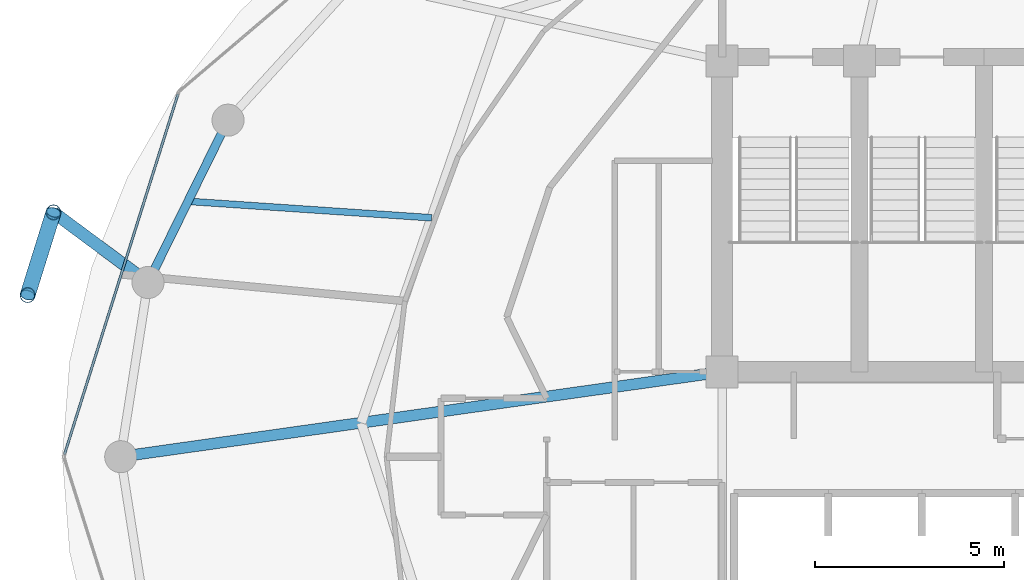
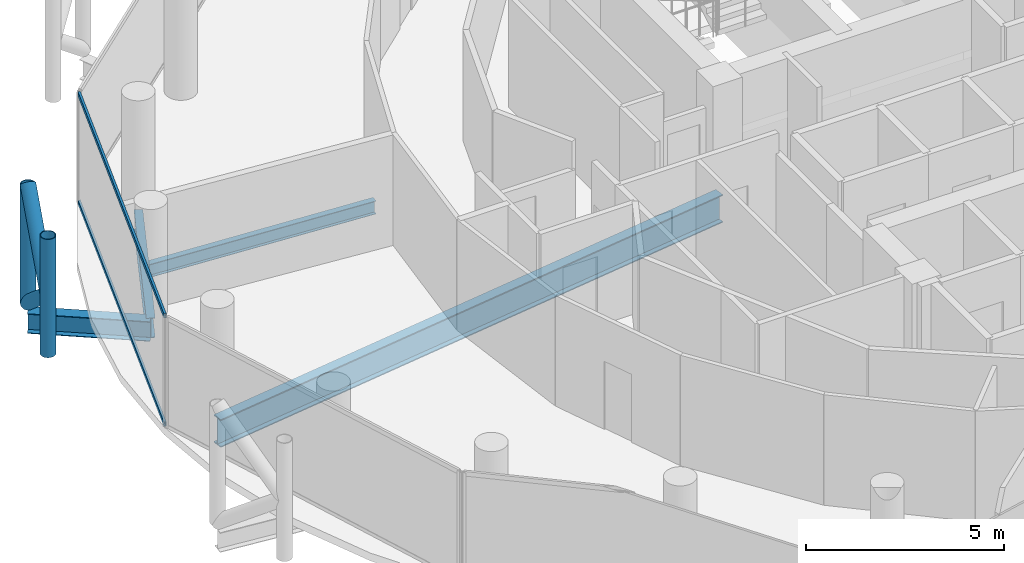
# One storey, part 8 of 27: 6 members, 4 beams, 1 element without a shape of its own.
"""IFC4 building model written with IfcOpenShell, lengths in metres."""

import ifcopenshell
import ifcopenshell.guid

model = None  # the IFC model being written
_history = None  # IfcOwnerHistory: only IFC2X3 demands one
_inside = {}  # id of a spatial element -> (the spatial element, [elements in it])
_under = {}  # id of a project, library or spatial element -> (it, [spatial elements below it])
_declared = {}  # id of a project -> (the project, [libraries it declares])
_typed = {}  # id of a type object -> (the type object, [elements of that type])
_made_of = {}  # id of a material, layer set ... -> (it, [elements and type objects made of it])


def new_model(schema):
    """Start an empty IFC model of exactly this schema.

    Asked for "IFC4X3", IfcOpenShell would pick the latest addendum, in which some entities
    have other attributes; the version numbers below select the first issue.
    IFC2X3 requires an IfcOwnerHistory on every rooted entity: one is made here for all.
    """
    global model, _history
    if schema == "IFC4X3":
        model = ifcopenshell.file(schema_version=(4, 3, 0, 0))
    else:
        model = ifcopenshell.file(schema=schema)
    _inside.clear()
    _under.clear()
    _declared.clear()
    _typed.clear()
    _made_of.clear()
    _history = None
    if model.schema == "IFC2X3":
        org = make("IfcOrganization", Name="unknown")
        user = make(
            "IfcPersonAndOrganization",
            ThePerson=make("IfcPerson", FamilyName="unknown"),
            TheOrganization=org,
        )
        app = make(
            "IfcApplication",
            ApplicationDeveloper=org,
            Version="unknown",
            ApplicationFullName="unknown",
            ApplicationIdentifier="unknown",
        )
        _history = make(
            "IfcOwnerHistory",
            OwningUser=user,
            OwningApplication=app,
            ChangeAction="ADDED",
            CreationDate=0,
        )
    return model


def make(cls, **values):
    """One entity of the class cls with the attributes given. An attribute that is None is left unset."""
    return model.create_entity(
        cls, **{name: value for name, value in values.items() if value is not None}
    )


def rooted(cls, **values):
    """An entity with a GlobalId (a new one), such as an element, a storey or a relation."""
    return make(cls, GlobalId=ifcopenshell.guid.new(), OwnerHistory=_history, **values)


def si_unit(unit_type, name, prefix=None):
    """IfcSIUnit, for example si_unit("LENGTHUNIT", "METRE", prefix="MILLI")."""
    return make("IfcSIUnit", UnitType=unit_type, Prefix=prefix, Name=name)


def assignment(units):
    """IfcUnitAssignment: the units of a project."""
    return None if units is None else make("IfcUnitAssignment", Units=units)


def point(xyz):
    """IfcCartesianPoint."""
    return None if xyz is None else make("IfcCartesianPoint", Coordinates=xyz)


def direction(xyz):
    """IfcDirection."""
    return None if xyz is None else make("IfcDirection", DirectionRatios=xyz)


def frame(location, z_axis=None, x_axis=None):
    """IfcAxis2Placement3D, a coordinate frame: its origin and axes. An axis left out is left unset."""
    return make(
        "IfcAxis2Placement3D",
        Location=point(location),
        Axis=direction(z_axis),
        RefDirection=direction(x_axis),
    )


def frame_2d(location, x_axis=None):
    """IfcAxis2Placement2D, a coordinate frame in the plane: its origin and x axis."""
    return make(
        "IfcAxis2Placement2D", Location=point(location), RefDirection=direction(x_axis)
    )


def origin():
    """The frame at (0, 0, 0) with its axes left unset."""
    return frame((0.0, 0.0, 0.0))


def origin_2d():
    """The frame at (0, 0) in the plane with its x axis left unset."""
    return frame_2d((0.0, 0.0))


def place(relative_to, where):
    """IfcLocalPlacement: puts the frame where relative to a parent placement (None: the world)."""
    return make(
        "IfcLocalPlacement", PlacementRelTo=relative_to, RelativePlacement=where
    )


def context(
    kind, dimensions, precision=None, world=None, true_north=None, identifier=None
):
    """IfcGeometricRepresentationContext, for example the 3D "Model" context."""
    return make(
        "IfcGeometricRepresentationContext",
        ContextIdentifier=identifier,
        ContextType=kind,
        CoordinateSpaceDimension=dimensions,
        Precision=precision,
        WorldCoordinateSystem=world,
        TrueNorth=true_north,
    )


def subcontext(parent, identifier, kind, view, scale=None):
    """IfcGeometricRepresentationSubContext, for example "Body" below "Model"."""
    return make(
        "IfcGeometricRepresentationSubContext",
        ContextIdentifier=identifier,
        ContextType=kind,
        ParentContext=parent,
        TargetScale=scale,
        TargetView=view,
    )


def project(units=None, contexts=None):
    """IfcProject with its units and contexts."""
    return rooted(
        "IfcProject",
        Name="project",
        RepresentationContexts=contexts,
        UnitsInContext=assignment(units),
    )


def spatial(cls, under=None, at=None, **own):
    """A site, building, storey or space (cls), placed at a placement, below another one or the project."""
    s = rooted(cls, ObjectPlacement=at, **own)
    if under is not None:
        _under.setdefault(under.id(), (under, []))[1].append(s)
    return s


def profile(cls, at=None, kind="AREA", **sizes):
    """A parametric profile (cls). Its sizes go by their IFC names, for example OverallWidth=200.0."""
    return make(cls, ProfileType=kind, Position=at, **sizes)


def hollow_rectangle(**sizes):
    """IfcRectangleHollowProfileDef."""
    return profile("IfcRectangleHollowProfileDef", **sizes)


def hollow_circle(**sizes):
    """IfcCircleHollowProfileDef."""
    return profile("IfcCircleHollowProfileDef", **sizes)


def i_section(**sizes):
    """IfcIShapeProfileDef."""
    return profile("IfcIShapeProfileDef", **sizes)


def extrude(swept, where, along, depth):
    """IfcExtrudedAreaSolid: the profile swept, set in the frame where, extruded along a direction by depth."""
    return make(
        "IfcExtrudedAreaSolid",
        SweptArea=swept,
        Position=where,
        ExtrudedDirection=direction(along),
        Depth=depth,
    )


def shape(context_of_items, identifier, shape_type, items):
    """IfcShapeRepresentation: the items that make up one representation, for example the "Body"."""
    return make(
        "IfcShapeRepresentation",
        ContextOfItems=context_of_items,
        RepresentationIdentifier=identifier,
        RepresentationType=shape_type,
        Items=items,
    )


def material(Name=None, Category=None):
    """IfcMaterial."""
    return make("IfcMaterial", Name=Name, Category=Category)


def layer(
    of_material, thickness, ventilated=None, Name=None, Category=None, Priority=None
):
    """IfcMaterialLayer: one layer of a wall or slab, of a material (None: an air gap)."""
    return make(
        "IfcMaterialLayer",
        Material=of_material,
        LayerThickness=thickness,
        IsVentilated=ventilated,
        Name=Name,
        Category=Category,
        Priority=Priority,
    )


def layer_set(layers, Name=None):
    """IfcMaterialLayerSet."""
    return make("IfcMaterialLayerSet", MaterialLayers=layers, LayerSetName=Name)


def material_profile(
    of_material, cross_section, Name=None, Category=None, Priority=None
):
    """IfcMaterialProfile: a cross section and its material."""
    return make(
        "IfcMaterialProfile",
        Name=Name,
        Material=of_material,
        Profile=cross_section,
        Priority=Priority,
        Category=Category,
    )


def profile_set(profiles, Name=None, composite=None):
    """IfcMaterialProfileSet."""
    return make(
        "IfcMaterialProfileSet",
        Name=Name,
        MaterialProfiles=profiles,
        CompositeProfile=composite,
    )


def made_of(thing, what):
    """Note that an element or type object is made of a material, layer set ...; save() writes the relation."""
    if what is not None:
        _made_of.setdefault(what.id(), (what, []))[1].append(thing)
    return thing


def type_object(cls, material=None, **own):
    """A type object (cls), such as IfcWallType, which elements share."""
    return made_of(rooted(cls, **own), material)


def element(
    cls,
    number,
    at=None,
    inside=None,
    cuts=None,
    type_object=None,
    material=None,
    context=None,
    identifier="Body",
    shape_type=None,
    held_by="IfcProductDefinitionShape",
    body=None,
    shapes=None,
    **own,
):
    """One element of the class cls, such as IfcWall. Its Tag is "e" and its number.

    at: its placement. inside: the storey or other place that contains it. cuts: it is an
    opening in that element (IfcRelVoidsElement). A single representation is given by context,
    identifier, shape_type and body (its items); several are given by shapes. held_by: the class
    of the entity that holds the representations. save() writes the other relations.
    """
    e = rooted(cls, Tag="e%d" % number, ObjectPlacement=at, **own)
    if body is not None:
        shapes = [shape(context, identifier, shape_type, body)]
    if shapes is not None:
        e.Representation = make(held_by, Representations=shapes)
    if inside is not None:
        _inside.setdefault(inside.id(), (inside, []))[1].append(e)
    if cuts is not None:
        rooted(
            "IfcRelVoidsElement", RelatingBuildingElement=cuts, RelatedOpeningElement=e
        )
    if type_object is not None:
        _typed.setdefault(type_object.id(), (type_object, []))[1].append(e)
    return made_of(e, material)


def aggregate(whole, parts):
    """IfcRelAggregates: a whole, such as a stair, and the parts it consists of."""
    return rooted("IfcRelAggregates", RelatingObject=whole, RelatedObjects=parts)


def save(model, path):
    """Write the relations noted so far, then the file.

    IfcRelAggregates (storeys below a building ...), IfcRelContainedInSpatialStructure (elements
    in a storey), IfcRelDefinesByType, IfcRelAssociatesMaterial and IfcRelDeclares: one each for
    every whole, place, type object, material and project.
    """
    for whole, parts in _under.values():
        aggregate(whole, parts)
    for where, things in _inside.values():
        rooted(
            "IfcRelContainedInSpatialStructure",
            RelatedElements=things,
            RelatingStructure=where,
        )
    for kind, things in _typed.values():
        rooted("IfcRelDefinesByType", RelatedObjects=things, RelatingType=kind)
    for what, things in _made_of.values():
        rooted("IfcRelAssociatesMaterial", RelatedObjects=things, RelatingMaterial=what)
    for by, libraries in _declared.values():
        rooted("IfcRelDeclares", RelatingContext=by, RelatedDefinitions=libraries)
    model.write(path)


model = new_model("IFC4")

# Units and contexts
model_context = context("Model", 3, precision=1e-05, world=origin(), true_north=direction((0.0, 1.0)))
body_context = subcontext(model_context, "Body", "Model", "MODEL_VIEW")
ifc_project = project(units=[si_unit("LENGTHUNIT", "METRE"), si_unit("AREAUNIT", "SQUARE_METRE"), si_unit("VOLUMEUNIT", "CUBIC_METRE"), si_unit("PLANEANGLEUNIT", "RADIAN"), si_unit("MASSUNIT", "GRAM", prefix="KILO")], contexts=[model_context])

# Site, building, storey
site_placement = place(None, origin())
site = spatial("IfcSite", under=ifc_project, at=site_placement, CompositionType="ELEMENT")
building_placement = place(site_placement, origin())
building = spatial("IfcBuilding", under=site, at=building_placement, Name="Nuhasar Tower", CompositionType="ELEMENT")
storey_placement = place(building_placement, frame((0.0, 0.0, 241.0)))
storey = spatial("IfcBuildingStorey", under=building, at=storey_placement, Name="L59", CompositionType="ELEMENT", Elevation=241.0)

# Beams
ifc_material_1 = material(Name="Steel S355", Category="steel")
ifc_material_profile_1 = material_profile(ifc_material_1, i_section(OverallWidth=0.177978515625, OverallDepth=0.406005859375, WebThickness=0.0078125, FlangeThickness=0.0126953125, at=origin_2d()), Name="W16X40")
ifc_profile_set_1 = profile_set([ifc_material_profile_1], Name="Steel S355")
beam_type_1 = type_object("IfcBeamType", Name="BM-JST-W16X40", PredefinedType="JOIST", material=ifc_profile_set_1)
beam_1_placement = place(storey_placement, frame((25.9970703125, 33.135986328125, -0.443115234375), z_axis=(-0.997721156568, 0.067472170095, 0.0), x_axis=(-0.067472170095, -0.997721156568, 0.0)))
element("IfcBeam", 1, at=beam_1_placement, inside=storey, type_object=beam_type_1, Name="L59 Secondary Floor Joist 07", PredefinedType="JOIST", context=body_context, shape_type="SweptSolid", body=[
    extrude(i_section(OverallWidth=0.177978515625, OverallDepth=0.406005859375, WebThickness=0.0078125, FlangeThickness=0.0126953125, at=origin_2d()), origin(), (0.0, 0.0, 1.0), 6.476806640625),
])
ifc_material_profile_2 = material_profile(ifc_material_1, i_section(OverallWidth=0.2919921875, OverallDepth=0.85888671875, WebThickness=0.01708984375, FlangeThickness=0.031005859375, at=origin_2d()), Name="W33X169")
ifc_profile_set_2 = profile_set([ifc_material_profile_2], Name="Steel S355")
beam_type_2 = type_object("IfcBeamType", Name="BM-POD-W33X169", PredefinedType="BEAM", material=ifc_profile_set_2)
beam_2_placement = place(storey_placement, frame((33.699951171875, 29.050048828125, -0.6689453125), z_axis=(-0.990196233464, -0.139683281866, 0.0), x_axis=(0.139683281866, -0.990196233464, 0.0)))
element("IfcBeam", 2, at=beam_2_placement, inside=storey, type_object=beam_type_2, Name="L59 Radial Floor Girder 08", PredefinedType="BEAM", context=body_context, shape_type="SweptSolid", body=[
    extrude(i_section(OverallWidth=0.2919921875, OverallDepth=0.85888671875, WebThickness=0.01708984375, FlangeThickness=0.031005859375, at=origin_2d()), origin(), (0.0, 0.0, 1.0), 16.10791015625),
])
ifc_material_profile_3 = material_profile(ifc_material_1, i_section(OverallWidth=0.22802734375, OverallDepth=0.60791015625, WebThickness=0.01123046875, FlangeThickness=0.017333984375, at=origin_2d()), Name="W24X76")
ifc_profile_set_3 = profile_set([ifc_material_profile_3], Name="Steel S355")
beam_type_3 = type_object("IfcBeamType", Name="BM-RING-W24X76", PredefinedType="SPANDREL", material=ifc_profile_set_3)
beam_3_placement = place(storey_placement, frame((20.596923828125, 35.72509765625, -0.5439453125), z_axis=(-0.442242604409, -0.896895467067, 0.0), x_axis=(0.896895467067, -0.442242604409, 0.0)))
element("IfcBeam", 3, at=beam_3_placement, inside=storey, type_object=beam_type_3, Name="L59 Perimeter Ring Spandrel 11", PredefinedType="SPANDREL", context=body_context, shape_type="SweptSolid", body=[
    extrude(i_section(OverallWidth=0.22802734375, OverallDepth=0.60791015625, WebThickness=0.01123046875, FlangeThickness=0.017333984375, at=origin_2d()), origin(), (0.0, 0.0, 1.0), 4.800048828125),
])
ifc_material_profile_4 = material_profile(ifc_material_1, i_section(OverallWidth=0.323974609375, OverallDepth=0.611083984375, WebThickness=0.0126953125, FlangeThickness=0.01904296875, at=origin_2d()), Name="W24X104")
ifc_profile_set_4 = profile_set([ifc_material_profile_4], Name="Steel S355")
beam_type_4 = type_object("IfcBeamType", Name="BM-TIE-W24X104", PredefinedType="BEAM", material=ifc_profile_set_4)
beam_4_placement = place(storey_placement, frame((18.47412109375, 31.419921875, -0.5458984375), z_axis=(-0.802945922723, 0.596051881285, 0.0), x_axis=(-0.596051881285, -0.802945922723, 0.0)))
element("IfcBeam", 4, at=beam_4_placement, inside=storey, type_object=beam_type_4, Name="L59 Exoskeleton Node Tie Beam 06", PredefinedType="BEAM", context=body_context, shape_type="SweptSolid", body=[
    extrude(i_section(OverallWidth=0.323974609375, OverallDepth=0.611083984375, WebThickness=0.0126953125, FlangeThickness=0.01904296875, at=origin_2d()), origin(), (0.0, 0.0, 1.0), 3.122314453125),
])

# Curtain wall, members
ifc_material_2 = material(Name="Aluminium 6063-T6", Category="aluminium")
ifc_layer = layer(ifc_material_2, 0.18994140625)
ifc_layer_set = layer_set([ifc_layer], Name="Aluminium 6063-T6")
curtain_wall_type = type_object("IfcCurtainWallType", Name="CW-Z3-RES", PredefinedType="NOTDEFINED", material=ifc_layer_set)
curtain_wall_placement = place(storey_placement, origin())
curtain_wall = element("IfcCurtainWall", 5, at=curtain_wall_placement, inside=storey, type_object=curtain_wall_type, Name="L59 Unitised Curtain Wall 06", PredefinedType="NOTDEFINED")
ifc_material_profile_5 = material_profile(ifc_material_2, hollow_rectangle(XDim=0.06494140625, YDim=0.139892578125, WallThickness=0.00439453125, at=origin_2d()), Name="CWT-4")
ifc_profile_set_5 = profile_set([ifc_material_profile_5], Name="Aluminium 6063-T6")
member_type_1 = type_object("IfcMemberType", Name="CW-TRN-S4", PredefinedType="USERDEFINED", material=ifc_profile_set_5)
member_1_placement = place(storey_placement, frame((19.26953125, 36.41796875, 0.032470703125), z_axis=(-0.300437373386, -0.953801543652, 0.0), x_axis=(0.953801543652, -0.300437373386, 0.0)))
member_1 = element("IfcMember", 6, at=member_1_placement, type_object=member_type_1, Name="CW-Z3 transom 1.1", ObjectType="TRANSOM", PredefinedType="USERDEFINED", context=body_context, shape_type="SweptSolid", body=[
    extrude(hollow_rectangle(XDim=0.06494140625, YDim=0.139892578125, WallThickness=0.00439453125, at=origin_2d()), origin(), (0.0, 0.0, 1.0), 10.018798828125),
])
member_2_placement = place(storey_placement, frame((19.26953125, 36.41796875, 3.37744140625), z_axis=(-0.300437373386, -0.953801543652, 0.0), x_axis=(0.953801543652, -0.300437373386, 0.0)))
member_2 = element("IfcMember", 7, at=member_2_placement, type_object=member_type_1, Name="CW-Z3 transom 1.2", ObjectType="TRANSOM", PredefinedType="USERDEFINED", context=body_context, shape_type="SweptSolid", body=[
    extrude(hollow_rectangle(XDim=0.06494140625, YDim=0.139892578125, WallThickness=0.00439453125, at=origin_2d()), origin(), (0.0, 0.0, 1.0), 10.018798828125),
])
aggregate(curtain_wall, [member_1, member_2])

# Members
ifc_material_3 = material(Name="Steel S460", Category="steel")
ifc_material_profile_6 = material_profile(ifc_material_3, hollow_circle(Radius=0.203125, WallThickness=0.01904296875, at=origin_2d()), Name="HSS406.4X19.1")
ifc_profile_set_6 = profile_set([ifc_material_profile_6], Name="Steel S460")
member_type_2 = type_object("IfcMemberType", Name="EXO-BRONZE-406", PredefinedType="BRACE", material=ifc_profile_set_6)
for number, where, z_axis, x_axis, name in (
    (8, (15.967041015625, 33.281005859375, 0.0), (0.0, 0.0, 1.0), (1.0, 0.0, 0.0), "L59 Exoskeleton Chord Column EC-06A"),
    (9, (15.281982421875, 31.0859375, 0.0), (0.0, 0.0, 1.0), (1.0, 0.0, 0.0), "L59 Exoskeleton Chord Column EC-06B"),
):
    element("IfcMember", number, at=place(storey_placement, frame(where, z_axis=z_axis, x_axis=x_axis)), inside=storey, type_object=member_type_2, Name=name, PredefinedType="BRACE", context=body_context, shape_type="SweptSolid", body=[
        extrude(hollow_circle(Radius=0.203125, WallThickness=0.01904296875, at=origin_2d()), origin(), (0.0, 0.0, 1.0), 3.64990234375),
    ])
for number, where, z_axis, x_axis, name in (
    (10, (15.967041015625, 33.281005859375, 0.0), (-0.233357911711, -0.747726651531, 0.621650174641), (0.954591372974, -0.297918295247, 0.0), "L59 Bronze Diagrid Brace W1-06"),
    (11, (15.281982421875, 31.0859375, 1.824951171875), (0.233357911711, 0.747726651531, 0.621650174641), (-0.954591372974, 0.297918295247, 0.0), "L59 Bronze Diagrid Brace W2-06"),
):
    element("IfcMember", number, at=place(storey_placement, frame(where, z_axis=z_axis, x_axis=x_axis)), inside=storey, type_object=member_type_2, Name=name, PredefinedType="BRACE", context=body_context, shape_type="SweptSolid", body=[
        extrude(hollow_circle(Radius=0.203125, WallThickness=0.01904296875, at=origin_2d()), origin(), (0.0, 0.0, 1.0), 2.935546875),
    ])

save(model, "model.ifc")
